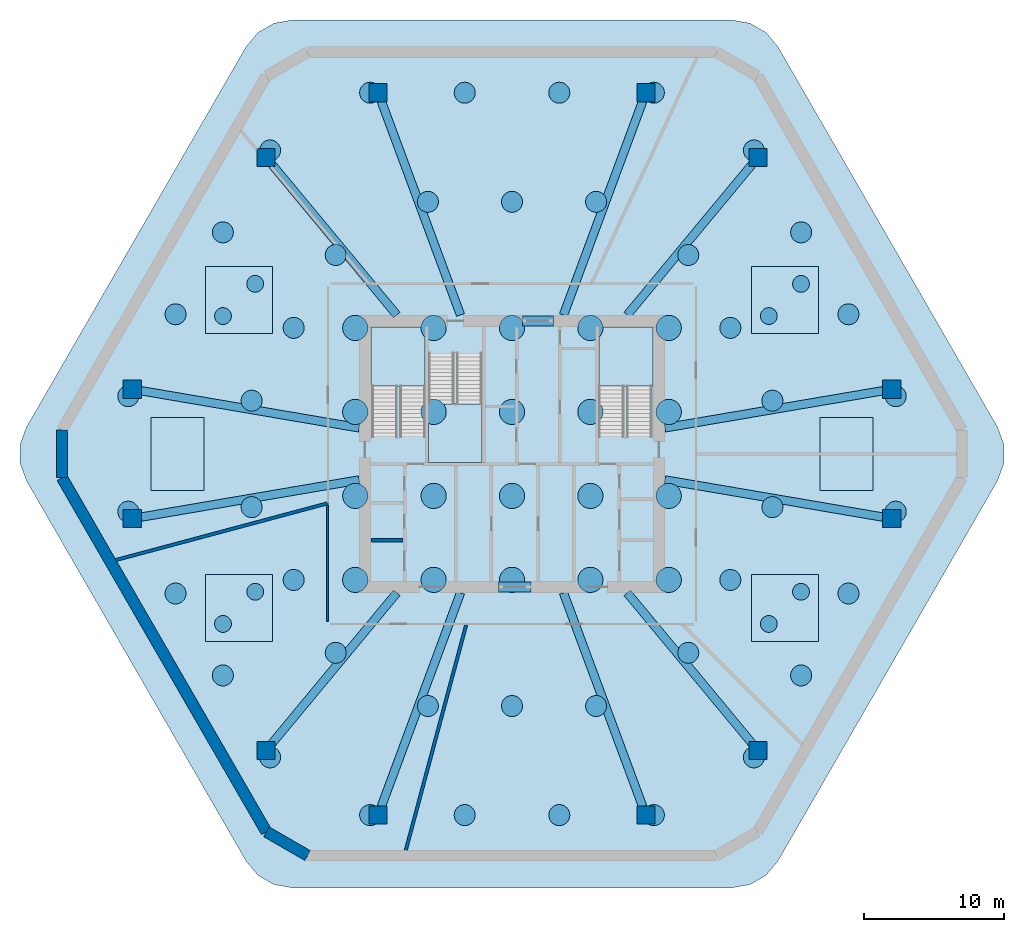
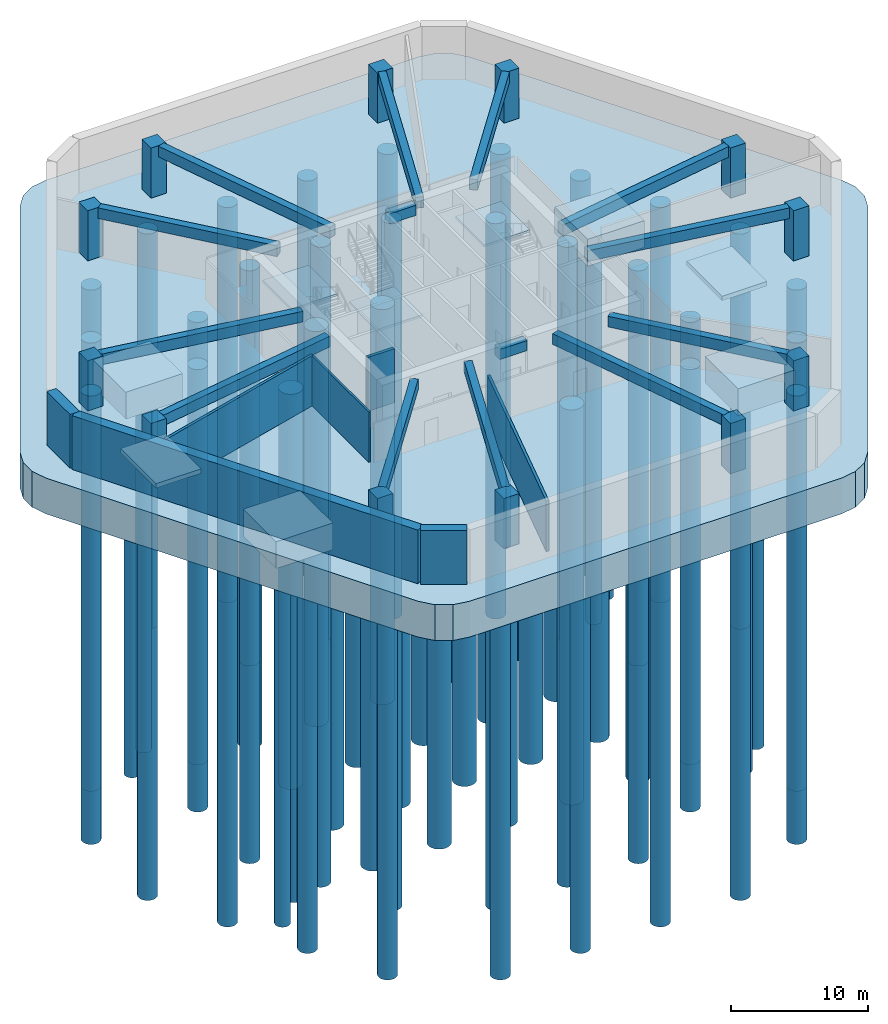
# One storey, part 1 of 5: 70 piles, 14 beams, 12 columns, 7 walls, 5 footings, 5 slabs, 3 elements without a shape of their own.
"""IFC4 building model written with IfcOpenShell, lengths in metres."""

from ifc_helpers import new_model, si_unit, direction, frame, frame_2d, origin, origin_2d, place, context, subcontext, project, spatial, polyline, rectangle, circle, outline, extrude, material, layer, layer_set, material_profile, profile_set, type_object, element, aggregate, save


model = new_model("IFC4")

# Units and contexts
model_context = context("Model", 3, precision=1e-05, world=origin(), true_north=direction((0.0, 1.0)))
body_context = subcontext(model_context, "Body", "Model", "MODEL_VIEW")
ifc_project = project(units=[si_unit("LENGTHUNIT", "METRE"), si_unit("AREAUNIT", "SQUARE_METRE"), si_unit("VOLUMEUNIT", "CUBIC_METRE"), si_unit("PLANEANGLEUNIT", "RADIAN"), si_unit("MASSUNIT", "GRAM", prefix="KILO")], contexts=[model_context])

# Site, building, storey
site_placement = place(None, origin())
site = spatial("IfcSite", under=ifc_project, at=site_placement, CompositionType="ELEMENT")
building_placement = place(site_placement, origin())
building = spatial("IfcBuilding", under=site, at=building_placement, Name="Zuhravey Tower", CompositionType="ELEMENT")
storey_placement = place(building_placement, frame((0.0, 0.0, -9.60009765625)))
storey = spatial("IfcBuildingStorey", under=building, at=storey_placement, Name="B02", CompositionType="ELEMENT", Elevation=-9.60009765625)

# Piles
ifc_material_1 = material(Name="Concrete C50/60", Category="concrete")
ifc_material_profile_1 = material_profile(ifc_material_1, circle(Radius=0.89990234375, at=origin_2d()), Name="PILE-D1800")
ifc_profile_set_1 = profile_set([ifc_material_profile_1], Name="Concrete C50/60")
pile_type_1 = type_object("IfcPileType", Name="Core Bored Pile D1800", PredefinedType="BORED", material=ifc_profile_set_1)
for number, where, z_axis, x_axis, name in (
    (1, (24.800048828125, 23.0, -3.099853515625), (0.0, 0.0, -1.0), (1.0, 0.0, 0.0), "B02 Core Bored Pile BP18-01"),
    (2, (24.800048828125, 29.0, -3.099853515625), (0.0, 0.0, -1.0), (1.0, 0.0, 0.0), "B02 Core Bored Pile BP18-02"),
    (3, (24.800048828125, 35.0, -3.099853515625), (0.0, 0.0, -1.0), (1.0, 0.0, 0.0), "B02 Core Bored Pile BP18-03"),
    (4, (24.800048828125, 41.0, -3.099853515625), (0.0, 0.0, -1.0), (1.0, 0.0, 0.0), "B02 Core Bored Pile BP18-04"),
    (5, (30.39990234375, 23.0, -3.099853515625), (0.0, 0.0, -1.0), (1.0, 0.0, 0.0), "B02 Core Bored Pile BP18-05"),
    (6, (30.39990234375, 29.0, -3.099853515625), (0.0, 0.0, -1.0), (1.0, 0.0, 0.0), "B02 Core Bored Pile BP18-06"),
    (7, (30.39990234375, 35.0, -3.099853515625), (0.0, 0.0, -1.0), (1.0, 0.0, 0.0), "B02 Core Bored Pile BP18-07"),
    (8, (30.39990234375, 41.0, -3.099853515625), (0.0, 0.0, -1.0), (1.0, 0.0, 0.0), "B02 Core Bored Pile BP18-08"),
    (9, (36.0, 23.0, -3.099853515625), (0.0, 0.0, -1.0), (1.0, 0.0, 0.0), "B02 Core Bored Pile BP18-09"),
    (10, (36.0, 29.0, -3.099853515625), (0.0, 0.0, -1.0), (1.0, 0.0, 0.0), "B02 Core Bored Pile BP18-10"),
    (11, (36.0, 35.0, -3.099853515625), (0.0, 0.0, -1.0), (1.0, 0.0, 0.0), "B02 Core Bored Pile BP18-11"),
    (12, (36.0, 41.0, -3.099853515625), (0.0, 0.0, -1.0), (1.0, 0.0, 0.0), "B02 Core Bored Pile BP18-12"),
    (13, (41.60009765625, 23.0, -3.099853515625), (0.0, 0.0, -1.0), (1.0, 0.0, 0.0), "B02 Core Bored Pile BP18-13"),
    (14, (41.60009765625, 29.0, -3.099853515625), (0.0, 0.0, -1.0), (1.0, 0.0, 0.0), "B02 Core Bored Pile BP18-14"),
    (15, (41.60009765625, 35.0, -3.099853515625), (0.0, 0.0, -1.0), (1.0, 0.0, 0.0), "B02 Core Bored Pile BP18-15"),
    (16, (41.60009765625, 41.0, -3.099853515625), (0.0, 0.0, -1.0), (1.0, 0.0, 0.0), "B02 Core Bored Pile BP18-16"),
    (17, (47.199951171875, 23.0, -3.099853515625), (0.0, 0.0, -1.0), (1.0, 0.0, 0.0), "B02 Core Bored Pile BP18-17"),
    (18, (47.199951171875, 29.0, -3.099853515625), (0.0, 0.0, -1.0), (1.0, 0.0, 0.0), "B02 Core Bored Pile BP18-18"),
    (19, (47.199951171875, 35.0, -3.099853515625), (0.0, 0.0, -1.0), (1.0, 0.0, 0.0), "B02 Core Bored Pile BP18-19"),
    (20, (47.199951171875, 41.0, -3.099853515625), (0.0, 0.0, -1.0), (1.0, 0.0, 0.0), "B02 Core Bored Pile BP18-20"),
):
    element("IfcPile", number, at=place(storey_placement, frame(where, z_axis=z_axis, x_axis=x_axis)), inside=storey, type_object=pile_type_1, Name=name, PredefinedType="BORED", context=body_context, shape_type="SweptSolid", body=[
        extrude(circle(Radius=0.89990234375, at=origin_2d()), origin(), (0.0, 0.0, 1.0), 35.300048828125),
    ])
ifc_material_profile_2 = material_profile(ifc_material_1, circle(Radius=0.75, at=origin_2d()), Name="PILE-D1500")
ifc_profile_set_2 = profile_set([ifc_material_profile_2], Name="Concrete C50/60")
pile_type_2 = type_object("IfcPileType", Name="Perimeter Bored Pile D1500", PredefinedType="BORED", material=ifc_profile_set_2)
for number, where, z_axis, x_axis, name in (
    (21, (54.604736328125, 35.80224609375, -3.099853515625), (0.0, 0.0, -1.0), (1.0, 0.0, 0.0), "B02 Perimeter Bored Pile BP15-01"),
    (22, (51.60009765625, 41.006591796875, -3.099853515625), (0.0, 0.0, -1.0), (1.0, 0.0, 0.0), "B02 Perimeter Bored Pile BP15-02"),
    (23, (48.59521484375, 46.211181640625, -3.099853515625), (0.0, 0.0, -1.0), (1.0, 0.0, 0.0), "B02 Perimeter Bored Pile BP15-03"),
    (24, (42.009521484375, 50.01318359375, -3.099853515625), (0.0, 0.0, -1.0), (1.0, 0.0, 0.0), "B02 Perimeter Bored Pile BP15-04"),
    (25, (36.0, 50.01318359375, -3.099853515625), (0.0, 0.0, -1.0), (1.0, 0.0, 0.0), "B02 Perimeter Bored Pile BP15-05"),
    (26, (29.990478515625, 50.01318359375, -3.099853515625), (0.0, 0.0, -1.0), (1.0, 0.0, 0.0), "B02 Perimeter Bored Pile BP15-06"),
    (27, (23.40478515625, 46.211181640625, -3.099853515625), (0.0, 0.0, -1.0), (1.0, 0.0, 0.0), "B02 Perimeter Bored Pile BP15-07"),
    (28, (20.39990234375, 41.006591796875, -3.099853515625), (0.0, 0.0, -1.0), (1.0, 0.0, 0.0), "B02 Perimeter Bored Pile BP15-08"),
    (29, (17.395263671875, 35.80224609375, -3.099853515625), (0.0, 0.0, -1.0), (1.0, 0.0, 0.0), "B02 Perimeter Bored Pile BP15-09"),
    (30, (17.395263671875, 28.19775390625, -3.099853515625), (0.0, 0.0, -1.0), (1.0, 0.0, 0.0), "B02 Perimeter Bored Pile BP15-10"),
    (31, (20.39990234375, 22.993408203125, -3.099853515625), (0.0, 0.0, -1.0), (1.0, 0.0, 0.0), "B02 Perimeter Bored Pile BP15-11"),
    (32, (23.40478515625, 17.788818359375, -3.099853515625), (0.0, 0.0, -1.0), (1.0, 0.0, 0.0), "B02 Perimeter Bored Pile BP15-12"),
    (33, (29.990478515625, 13.98681640625, -3.099853515625), (0.0, 0.0, -1.0), (1.0, 0.0, 0.0), "B02 Perimeter Bored Pile BP15-13"),
    (34, (36.0, 13.98681640625, -3.099853515625), (0.0, 0.0, -1.0), (1.0, 0.0, 0.0), "B02 Perimeter Bored Pile BP15-14"),
    (35, (42.009521484375, 13.98681640625, -3.099853515625), (0.0, 0.0, -1.0), (1.0, 0.0, 0.0), "B02 Perimeter Bored Pile BP15-15"),
    (36, (48.59521484375, 17.788818359375, -3.099853515625), (0.0, 0.0, -1.0), (1.0, 0.0, 0.0), "B02 Perimeter Bored Pile BP15-16"),
    (37, (51.60009765625, 22.993408203125, -3.099853515625), (0.0, 0.0, -1.0), (1.0, 0.0, 0.0), "B02 Perimeter Bored Pile BP15-17"),
    (38, (54.604736328125, 28.19775390625, -3.099853515625), (0.0, 0.0, -1.0), (1.0, 0.0, 0.0), "B02 Perimeter Bored Pile BP15-18"),
    (39, (63.41796875, 36.1259765625, -3.099853515625), (0.0, 0.0, -1.0), (1.0, 0.0, 0.0), "B02 Perimeter Bored Pile BP15-19"),
    (40, (60.039306640625, 41.977783203125, -3.099853515625), (0.0, 0.0, -1.0), (1.0, 0.0, 0.0), "B02 Perimeter Bored Pile BP15-20"),
    (41, (56.66064453125, 47.829833984375, -3.099853515625), (0.0, 0.0, -1.0), (1.0, 0.0, 0.0), "B02 Perimeter Bored Pile BP15-21"),
    (42, (53.281982421875, 53.681640625, -3.099853515625), (0.0, 0.0, -1.0), (1.0, 0.0, 0.0), "B02 Perimeter Bored Pile BP15-22"),
    (43, (46.1357421875, 57.8076171875, -3.099853515625), (0.0, 0.0, -1.0), (1.0, 0.0, 0.0), "B02 Perimeter Bored Pile BP15-23"),
    (44, (39.378662109375, 57.8076171875, -3.099853515625), (0.0, 0.0, -1.0), (1.0, 0.0, 0.0), "B02 Perimeter Bored Pile BP15-24"),
    (45, (32.621337890625, 57.8076171875, -3.099853515625), (0.0, 0.0, -1.0), (1.0, 0.0, 0.0), "B02 Perimeter Bored Pile BP15-25"),
    (46, (25.8642578125, 57.8076171875, -3.099853515625), (0.0, 0.0, -1.0), (1.0, 0.0, 0.0), "B02 Perimeter Bored Pile BP15-26"),
    (47, (18.718017578125, 53.681640625, -3.099853515625), (0.0, 0.0, -1.0), (1.0, 0.0, 0.0), "B02 Perimeter Bored Pile BP15-27"),
    (48, (15.33935546875, 47.829833984375, -3.099853515625), (0.0, 0.0, -1.0), (1.0, 0.0, 0.0), "B02 Perimeter Bored Pile BP15-28"),
    (49, (11.960693359375, 41.977783203125, -3.099853515625), (0.0, 0.0, -1.0), (1.0, 0.0, 0.0), "B02 Perimeter Bored Pile BP15-29"),
    (50, (8.58203125, 36.1259765625, -3.099853515625), (0.0, 0.0, -1.0), (1.0, 0.0, 0.0), "B02 Perimeter Bored Pile BP15-30"),
    (51, (8.58203125, 27.8740234375, -3.099853515625), (0.0, 0.0, -1.0), (1.0, 0.0, 0.0), "B02 Perimeter Bored Pile BP15-31"),
    (52, (11.960693359375, 22.022216796875, -3.099853515625), (0.0, 0.0, -1.0), (1.0, 0.0, 0.0), "B02 Perimeter Bored Pile BP15-32"),
    (53, (15.33935546875, 16.170166015625, -3.099853515625), (0.0, 0.0, -1.0), (1.0, 0.0, 0.0), "B02 Perimeter Bored Pile BP15-33"),
    (54, (18.718017578125, 10.318359375, -3.099853515625), (0.0, 0.0, -1.0), (1.0, 0.0, 0.0), "B02 Perimeter Bored Pile BP15-34"),
    (55, (25.8642578125, 6.1923828125, -3.099853515625), (0.0, 0.0, -1.0), (1.0, 0.0, 0.0), "B02 Perimeter Bored Pile BP15-35"),
    (56, (32.621337890625, 6.1923828125, -3.099853515625), (0.0, 0.0, -1.0), (1.0, 0.0, 0.0), "B02 Perimeter Bored Pile BP15-36"),
    (57, (39.378662109375, 6.1923828125, -3.099853515625), (0.0, 0.0, -1.0), (1.0, 0.0, 0.0), "B02 Perimeter Bored Pile BP15-37"),
    (58, (46.1357421875, 6.1923828125, -3.099853515625), (0.0, 0.0, -1.0), (1.0, 0.0, 0.0), "B02 Perimeter Bored Pile BP15-38"),
    (59, (53.281982421875, 10.318359375, -3.099853515625), (0.0, 0.0, -1.0), (1.0, 0.0, 0.0), "B02 Perimeter Bored Pile BP15-39"),
    (60, (56.66064453125, 16.17041015625, -3.099853515625), (0.0, 0.0, -1.0), (1.0, 0.0, 0.0), "B02 Perimeter Bored Pile BP15-40"),
    (61, (60.039306640625, 22.022216796875, -3.099853515625), (0.0, 0.0, -1.0), (1.0, 0.0, 0.0), "B02 Perimeter Bored Pile BP15-41"),
    (62, (63.41796875, 27.8740234375, -3.099853515625), (0.0, 0.0, -1.0), (1.0, 0.0, 0.0), "B02 Perimeter Bored Pile BP15-42"),
):
    element("IfcPile", number, at=place(storey_placement, frame(where, z_axis=z_axis, x_axis=x_axis)), inside=storey, type_object=pile_type_2, Name=name, PredefinedType="BORED", context=body_context, shape_type="SweptSolid", body=[
        extrude(circle(Radius=0.75, at=origin_2d()), origin(), (0.0, 0.0, 1.0), 35.300048828125),
    ])

# Footings
footing_type_1 = type_object("IfcFootingType", Name="Perimeter Stilt Cap 4800x4800", PredefinedType="PILE_CAP", material=ifc_material_1)
for number, where, z_axis, x_axis, name in (
    (63, (16.5, 21.0, -5.599853515625), (0.0, 0.0, 1.0), (1.0, 0.0, 0.0), "B02 Deep Drop Pile Cap PCAP1-SW"),
    (64, (55.5, 21.0, -5.599853515625), (0.0, 0.0, 1.0), (1.0, 0.0, 0.0), "B02 Deep Drop Pile Cap PCAP1-SE"),
    (65, (16.5, 43.0, -5.599853515625), (0.0, 0.0, 1.0), (1.0, 0.0, 0.0), "B02 Deep Drop Pile Cap PCAP1-NW"),
    (66, (55.5, 43.0, -5.599853515625), (0.0, 0.0, 1.0), (1.0, 0.0, 0.0), "B02 Deep Drop Pile Cap PCAP1-NE"),
):
    element("IfcFooting", number, at=place(storey_placement, frame(where, z_axis=z_axis, x_axis=x_axis)), inside=storey, type_object=footing_type_1, Name=name, PredefinedType="PILE_CAP", context=body_context, shape_type="SweptSolid", body=[
        extrude(rectangle(XDim=4.800048828125, YDim=4.800048828125, at=origin_2d()), origin(), (0.0, 0.0, 1.0), 2.39990234375),
    ])

# Piles
ifc_material_profile_3 = material_profile(ifc_material_1, circle(Radius=0.60009765625, at=origin_2d()), Name="PILE-D1200")
ifc_profile_set_3 = profile_set([ifc_material_profile_3], Name="Concrete C50/60")
pile_type_3 = type_object("IfcPileType", Name="Podium Bored Pile D1200", PredefinedType="BORED", material=ifc_profile_set_3)
for number, where, z_axis, x_axis, name in (
    (67, (15.35009765625, 19.85009765625, -5.5), (0.0, 0.0, -1.0), (1.0, 0.0, 0.0), "B02 Substructure Bored Pile BP12-01"),
    (68, (17.64990234375, 22.14990234375, -5.5), (0.0, 0.0, -1.0), (1.0, 0.0, 0.0), "B02 Substructure Bored Pile BP12-02"),
    (69, (54.35009765625, 19.85009765625, -5.5), (0.0, 0.0, -1.0), (1.0, 0.0, 0.0), "B02 Substructure Bored Pile BP12-03"),
    (70, (56.64990234375, 22.14990234375, -5.5), (0.0, 0.0, -1.0), (1.0, 0.0, 0.0), "B02 Substructure Bored Pile BP12-04"),
    (71, (15.35009765625, 41.85009765625, -5.5), (0.0, 0.0, -1.0), (1.0, 0.0, 0.0), "B02 Substructure Bored Pile BP12-05"),
    (72, (17.64990234375, 44.14990234375, -5.5), (0.0, 0.0, -1.0), (1.0, 0.0, 0.0), "B02 Substructure Bored Pile BP12-06"),
    (73, (54.35009765625, 41.85009765625, -5.5), (0.0, 0.0, -1.0), (1.0, 0.0, 0.0), "B02 Substructure Bored Pile BP12-07"),
    (74, (56.64990234375, 44.14990234375, -5.5), (0.0, 0.0, -1.0), (1.0, 0.0, 0.0), "B02 Substructure Bored Pile BP12-08"),
):
    element("IfcPile", number, at=place(storey_placement, frame(where, z_axis=z_axis, x_axis=x_axis)), inside=storey, type_object=pile_type_3, Name=name, PredefinedType="BORED", context=body_context, shape_type="SweptSolid", body=[
        extrude(circle(Radius=0.60009765625, at=origin_2d()), origin(), (0.0, 0.0, 1.0), 32.89990234375),
    ])

# Footing
footing_type_2 = type_object("IfcFootingType", Name="Tower Piled Raft 3200", PredefinedType="PILE_CAP", material=ifc_material_1)
footing_placement = place(storey_placement, frame((0.0, 0.0, -3.199951171875)))
element("IfcFooting", 75, at=footing_placement, inside=storey, type_object=footing_type_2, Name="B02 Tower Piled Raft PRF1", PredefinedType="PILE_CAP", context=body_context, shape_type="SweptSolid", body=[
    extrude(outline(polyline([(70.702880859375, 30.10009765625), (71.154296875, 31.340087890625), (71.154296875, 32.659912109375), (70.702880859375, 33.89990234375), (54.9970703125, 61.103759765625), (54.148681640625, 62.11474609375), (53.005615234375, 62.7744140625), (51.7060546875, 63.003662109375), (20.2939453125, 63.003662109375), (18.994384765625, 62.7744140625), (17.851318359375, 62.11474609375), (17.0029296875, 61.103759765625), (1.297119140625, 33.89990234375), (0.845703125, 32.659912109375), (0.845703125, 31.340087890625), (1.297119140625, 30.10009765625), (17.0029296875, 2.896240234375), (17.851318359375, 1.88525390625), (18.994384765625, 1.2255859375), (20.2939453125, 0.996337890625), (51.7060546875, 0.996337890625), (53.005615234375, 1.2255859375), (54.148681640625, 1.88525390625), (54.9970703125, 2.896240234375), (70.702880859375, 30.10009765625)])), origin(), (0.0, 0.0, 1.0), 3.199951171875),
])

# Columns
ifc_material_2 = material(Name="Concrete C60/75", Category="concrete")
ifc_material_profile_4 = material_profile(ifc_material_2, rectangle(XDim=1.300048828125, YDim=1.300048828125, at=origin_2d()), Name="RC-1300x1300")
ifc_profile_set_4 = profile_set([ifc_material_profile_4], Name="Concrete C60/75")
column_type = type_object("IfcColumnType", Name="Basement Column 1300x1300", PredefinedType="COLUMN", material=ifc_profile_set_4)
for number, where, z_axis, x_axis, name in (
    (76, (63.132080078125, 36.62109375, 0.0), (0.0, 0.0, 1.0), (1.0, 0.0, 0.0), "B02 Basement Column BC1-01"),
    (77, (53.568115234375, 53.1865234375, 0.0), (0.0, 0.0, 1.0), (1.0, 0.0, 0.0), "B02 Basement Column BC1-02"),
    (78, (45.56396484375, 57.8076171875, 0.0), (0.0, 0.0, 1.0), (1.0, 0.0, 0.0), "B02 Basement Column BC1-03"),
    (79, (26.43603515625, 57.8076171875, 0.0), (0.0, 0.0, 1.0), (1.0, 0.0, 0.0), "B02 Basement Column BC1-04"),
    (80, (18.431884765625, 53.1865234375, 0.0), (0.0, 0.0, 1.0), (1.0, 0.0, 0.0), "B02 Basement Column BC1-05"),
    (81, (8.867919921875, 36.62109375, 0.0), (0.0, 0.0, 1.0), (1.0, 0.0, 0.0), "B02 Basement Column BC1-06"),
    (82, (8.867919921875, 27.37890625, 0.0), (0.0, 0.0, 1.0), (1.0, 0.0, 0.0), "B02 Basement Column BC1-07"),
    (83, (18.431884765625, 10.8134765625, 0.0), (0.0, 0.0, 1.0), (1.0, 0.0, 0.0), "B02 Basement Column BC1-08"),
    (84, (26.43603515625, 6.1923828125, 0.0), (0.0, 0.0, 1.0), (1.0, 0.0, 0.0), "B02 Basement Column BC1-09"),
    (85, (45.56396484375, 6.1923828125, 0.0), (0.0, 0.0, 1.0), (1.0, 0.0, 0.0), "B02 Basement Column BC1-10"),
    (86, (53.568115234375, 10.8134765625, 0.0), (0.0, 0.0, 1.0), (1.0, 0.0, 0.0), "B02 Basement Column BC1-11"),
    (87, (63.132080078125, 27.37890625, 0.0), (0.0, 0.0, 1.0), (1.0, 0.0, 0.0), "B02 Basement Column BC1-12"),
):
    element("IfcColumn", number, at=place(storey_placement, frame(where, z_axis=z_axis, x_axis=x_axis)), inside=storey, type_object=column_type, Name=name, PredefinedType="COLUMN", context=body_context, shape_type="SweptSolid", body=[
        extrude(rectangle(XDim=1.300048828125, YDim=1.300048828125, at=origin_2d()), origin(), (0.0, 0.0, 1.0), 4.47998046875),
    ])

# Beams
ifc_material_profile_5 = material_profile(ifc_material_1, rectangle(XDim=0.60009765625, YDim=0.949951171875, at=origin_2d()), Name="RC-600x950")
ifc_profile_set_5 = profile_set([ifc_material_profile_5], Name="Concrete C50/60")
beam_type_1 = type_object("IfcBeamType", Name="Basement RC Beam 600x950", PredefinedType="BEAM", material=ifc_profile_set_5)
beam_1_placement = place(storey_placement, frame((46.927978515625, 33.861328125, 4.005126953125), z_axis=(0.985803633134, 0.16790234334, 0.0), x_axis=(-0.16790234334, 0.985803633134, 0.0)))
element("IfcBeam", 88, at=beam_1_placement, inside=storey, type_object=beam_type_1, Name="B02 BB1 BM-B02-BB1-01", PredefinedType="BEAM", context=body_context, shape_type="SweptSolid", body=[
    extrude(rectangle(XDim=0.60009765625, YDim=0.949951171875, at=origin_2d()), origin(), (0.0, 0.0, 1.0), 15.782470703125),
])
beam_2_placement = place(storey_placement, frame((44.232421875, 41.927978515625, 4.005126953125), z_axis=(0.63830202718, 0.769786023579, 0.0), x_axis=(-0.769786023579, 0.63830202718, 0.0)))
element("IfcBeam", 89, at=beam_2_placement, inside=storey, type_object=beam_type_1, Name="B02 BB1 BM-B02-BB1-02", PredefinedType="BEAM", context=body_context, shape_type="SweptSolid", body=[
    extrude(rectangle(XDim=0.60009765625, YDim=0.949951171875, at=origin_2d()), origin(), (0.0, 0.0, 1.0), 13.970703125),
])
for number, where, z_axis, x_axis, name in (
    (90, (39.67919921875, 41.927978515625, 4.005126953125), (0.347497019727, 0.937681087194, 0.0), (-0.937681087194, 0.347497019727, 0.0), "B02 BB1 BM-B02-BB1-03"),
    (91, (32.32080078125, 41.927978515625, 4.005126953125), (-0.347497019727, 0.937681087194, 0.0), (-0.937681087194, -0.347497019727, 0.0), "B02 BB1 BM-B02-BB1-04"),
):
    element("IfcBeam", number, at=place(storey_placement, frame(where, z_axis=z_axis, x_axis=x_axis)), inside=storey, type_object=beam_type_1, Name=name, PredefinedType="BEAM", context=body_context, shape_type="SweptSolid", body=[
        extrude(rectangle(XDim=0.60009765625, YDim=0.949951171875, at=origin_2d()), origin(), (0.0, 0.0, 1.0), 16.280029296875),
    ])
beam_3_placement = place(storey_placement, frame((27.767578125, 41.927978515625, 4.005126953125), z_axis=(-0.63830202718, 0.769786023579, 0.0), x_axis=(-0.769786023579, -0.63830202718, 0.0)))
element("IfcBeam", 92, at=beam_3_placement, inside=storey, type_object=beam_type_1, Name="B02 BB1 BM-B02-BB1-05", PredefinedType="BEAM", context=body_context, shape_type="SweptSolid", body=[
    extrude(rectangle(XDim=0.60009765625, YDim=0.949951171875, at=origin_2d()), origin(), (0.0, 0.0, 1.0), 13.970703125),
])
for number, where, z_axis, x_axis, name in (
    (93, (25.072021484375, 33.861328125, 4.005126953125), (-0.985803633134, 0.16790234334, 0.0), (-0.16790234334, -0.985803633134, 0.0), "B02 BB1 BM-B02-BB1-06"),
    (94, (25.072021484375, 30.138671875, 4.005126953125), (-0.985803633134, -0.16790234334, 0.0), (0.16790234334, -0.985803633134, 0.0), "B02 BB1 BM-B02-BB1-07"),
):
    element("IfcBeam", number, at=place(storey_placement, frame(where, z_axis=z_axis, x_axis=x_axis)), inside=storey, type_object=beam_type_1, Name=name, PredefinedType="BEAM", context=body_context, shape_type="SweptSolid", body=[
        extrude(rectangle(XDim=0.60009765625, YDim=0.949951171875, at=origin_2d()), origin(), (0.0, 0.0, 1.0), 15.782470703125),
    ])
beam_4_placement = place(storey_placement, frame((27.767578125, 22.072021484375, 4.005126953125), z_axis=(-0.63830202718, -0.769786023579, 0.0), x_axis=(0.769786023579, -0.63830202718, 0.0)))
element("IfcBeam", 95, at=beam_4_placement, inside=storey, type_object=beam_type_1, Name="B02 BB1 BM-B02-BB1-08", PredefinedType="BEAM", context=body_context, shape_type="SweptSolid", body=[
    extrude(rectangle(XDim=0.60009765625, YDim=0.949951171875, at=origin_2d()), origin(), (0.0, 0.0, 1.0), 13.970703125),
])
for number, where, z_axis, x_axis, name in (
    (96, (32.32080078125, 22.072021484375, 4.005126953125), (-0.347497019727, -0.937681087194, 0.0), (0.937681087194, -0.347497019727, 0.0), "B02 BB1 BM-B02-BB1-09"),
    (97, (39.67919921875, 22.072021484375, 4.005126953125), (0.347497019727, -0.937681087194, 0.0), (0.937681087194, 0.347497019727, 0.0), "B02 BB1 BM-B02-BB1-10"),
):
    element("IfcBeam", number, at=place(storey_placement, frame(where, z_axis=z_axis, x_axis=x_axis)), inside=storey, type_object=beam_type_1, Name=name, PredefinedType="BEAM", context=body_context, shape_type="SweptSolid", body=[
        extrude(rectangle(XDim=0.60009765625, YDim=0.949951171875, at=origin_2d()), origin(), (0.0, 0.0, 1.0), 16.280029296875),
    ])
beam_5_placement = place(storey_placement, frame((44.232421875, 22.072021484375, 4.005126953125), z_axis=(0.63830202718, -0.769786023579, 0.0), x_axis=(0.769786023579, 0.63830202718, 0.0)))
element("IfcBeam", 98, at=beam_5_placement, inside=storey, type_object=beam_type_1, Name="B02 BB1 BM-B02-BB1-11", PredefinedType="BEAM", context=body_context, shape_type="SweptSolid", body=[
    extrude(rectangle(XDim=0.60009765625, YDim=0.949951171875, at=origin_2d()), origin(), (0.0, 0.0, 1.0), 13.970703125),
])
beam_6_placement = place(storey_placement, frame((46.927978515625, 30.138671875, 4.005126953125), z_axis=(0.985803633134, -0.16790234334, 0.0), x_axis=(0.16790234334, 0.985803633134, 0.0)))
element("IfcBeam", 99, at=beam_6_placement, inside=storey, type_object=beam_type_1, Name="B02 BB1 BM-B02-BB1-12", PredefinedType="BEAM", context=body_context, shape_type="SweptSolid", body=[
    extrude(rectangle(XDim=0.60009765625, YDim=0.949951171875, at=origin_2d()), origin(), (0.0, 0.0, 1.0), 15.782470703125),
])
ifc_material_profile_6 = material_profile(ifc_material_2, rectangle(XDim=0.699951171875, YDim=0.89990234375, at=origin_2d()), Name="RC-700x900")
ifc_profile_set_6 = profile_set([ifc_material_profile_6], Name="Concrete C60/75")
beam_type_2 = type_object("IfcBeamType", Name="Core Coupling Beam RC700x900", PredefinedType="LINTEL", material=ifc_profile_set_6)
beam_7_placement = place(storey_placement, frame((35.052001953125, 22.5, 4.030029296875), z_axis=(1.0, 0.0, 0.0), x_axis=(0.0, 1.0, 0.0)))
element("IfcBeam", 100, at=beam_7_placement, inside=storey, type_object=beam_type_2, Name="B02 CB1 BM-B02-CB-S", PredefinedType="LINTEL", context=body_context, shape_type="SweptSolid", body=[
    extrude(rectangle(XDim=0.699951171875, YDim=0.89990234375, at=origin_2d()), origin(), (0.0, 0.0, 1.0), 2.2958984375),
])
beam_8_placement = place(storey_placement, frame((36.751953125, 41.5, 4.030029296875), z_axis=(1.0, 0.0, 0.0), x_axis=(0.0, 1.0, 0.0)))
element("IfcBeam", 101, at=beam_8_placement, inside=storey, type_object=beam_type_2, Name="B02 CB1 BM-B02-CB-N", PredefinedType="LINTEL", context=body_context, shape_type="SweptSolid", body=[
    extrude(rectangle(XDim=0.699951171875, YDim=0.89990234375, at=origin_2d()), origin(), (0.0, 0.0, 1.0), 2.196044921875),
])

# Slabs
ifc_layer_1 = layer(ifc_material_1, 0.39990234375)
ifc_layer_set_1 = layer_set([ifc_layer_1], Name="Concrete C50/60")
slab_type_1 = type_object("IfcSlabType", Name="Basement Base Slab 400", PredefinedType="BASESLAB", material=ifc_layer_set_1)
slab_1_placement = place(storey_placement, frame((0.0, 0.0, -3.599853515625)))
element("IfcSlab", 102, at=slab_1_placement, inside=storey, type_object=slab_type_1, Name="B02 Sump Sub-Slab BS40-WEST", PredefinedType="BASESLAB", context=body_context, shape_type="SweptSolid", body=[
    extrude(outline(polyline([(10.199951171875, 29.39990234375), (14.0, 29.39990234375), (14.0, 34.60009765625), (10.199951171875, 34.60009765625), (10.199951171875, 29.39990234375)])), origin(), (0.0, 0.0, 1.0), 0.39990234375),
])
slab_2_placement = place(storey_placement, frame((0.0, 0.0, -3.599853515625)))
element("IfcSlab", 103, at=slab_2_placement, inside=storey, type_object=slab_type_1, Name="B02 Sump Sub-Slab BS40-EAST", PredefinedType="BASESLAB", context=body_context, shape_type="SweptSolid", body=[
    extrude(outline(polyline([(58.0, 29.39990234375), (61.800048828125, 29.39990234375), (61.800048828125, 34.60009765625), (58.0, 34.60009765625), (58.0, 29.39990234375)])), origin(), (0.0, 0.0, 1.0), 0.39990234375),
])

# Stair, slab
ifc_material_3 = material(Name="Concrete C40/50", Category="concrete")
stair_type = type_object("IfcStairType", Name="Basement Stair Assembly 4800", PredefinedType="HALF_TURN_STAIR", material=ifc_material_3)
stair_1_placement = place(storey_placement, origin())
stair_1 = element("IfcStair", 104, at=stair_1_placement, inside=storey, type_object=stair_type, Name="B02 Core Exit Stair ST1", PredefinedType="HALF_TURN_STAIR")
ifc_layer_2 = layer(ifc_material_3, 0.199951171875)
ifc_layer_set_2 = layer_set([ifc_layer_2], Name="Concrete C40/50")
slab_type_2 = type_object("IfcSlabType", Name="Stair Landing Slab 200", PredefinedType="LANDING", material=ifc_layer_set_2)
slab_3_placement = place(storey_placement, frame((0.0, 0.0, 2.2001953125)))
slab_3 = element("IfcSlab", 105, at=slab_3_placement, type_object=slab_type_2, Name="ST1 landing 1", PredefinedType="LANDING", context=body_context, shape_type="SweptSolid", body=[
    extrude(outline(polyline([(29.800048828125, 36.840087890625), (29.800048828125, 41.072998046875), (25.927001953125, 41.072998046875), (25.927001953125, 36.840087890625), (29.800048828125, 36.840087890625)])), origin(), (0.0, 0.0, 1.0), 0.199951171875),
])
aggregate(stair_1, [slab_3])

stair_2_placement = place(storey_placement, origin())
stair_2 = element("IfcStair", 106, at=stair_2_placement, inside=storey, type_object=stair_type, Name="B02 Core Exit Stair ST2", PredefinedType="HALF_TURN_STAIR")
slab_4_placement = place(storey_placement, frame((0.0, 0.0, 2.2001953125)))
slab_4 = element("IfcSlab", 107, at=slab_4_placement, type_object=slab_type_2, Name="ST2 landing 1", PredefinedType="LANDING", context=body_context, shape_type="SweptSolid", body=[
    extrude(outline(polyline([(46.072998046875, 36.840087890625), (46.072998046875, 41.072998046875), (42.199951171875, 41.072998046875), (42.199951171875, 36.840087890625), (46.072998046875, 36.840087890625)])), origin(), (0.0, 0.0, 1.0), 0.199951171875),
])
aggregate(stair_2, [slab_4])

stair_3_placement = place(storey_placement, origin())
stair_3 = element("IfcStair", 108, at=stair_3_placement, inside=storey, type_object=stair_type, Name="B02 Core Exit Stair ST3", PredefinedType="HALF_TURN_STAIR")
slab_5_placement = place(storey_placement, frame((0.0, 0.0, 2.2001953125)))
slab_5 = element("IfcSlab", 109, at=slab_5_placement, type_object=slab_type_2, Name="ST3 landing 1", PredefinedType="LANDING", context=body_context, shape_type="SweptSolid", body=[
    extrude(outline(polyline([(30.050048828125, 35.56005859375), (30.050048828125, 31.39990234375), (33.85009765625, 31.39990234375), (33.85009765625, 35.56005859375), (30.050048828125, 35.56005859375)])), origin(), (0.0, 0.0, 1.0), 0.199951171875),
])
aggregate(stair_3, [slab_5])

# Walls
ifc_layer_3 = layer(ifc_material_1, 0.800048828125)
ifc_layer_set_3 = layer_set([ifc_layer_3], Name="Concrete C50/60")
wall_type_1 = type_object("IfcWallType", Name="Basement Retaining Wall 800", PredefinedType="USERDEFINED", material=ifc_layer_set_3)
wall_1_placement = place(storey_placement, frame((3.843505859375, 33.699951171875, 0.0), z_axis=(0.0, 0.0, 1.0), x_axis=(0.0, -1.0, 0.0)))
element("IfcWall", 110, at=wall_1_placement, inside=storey, type_object=wall_type_1, Name="B02 Retaining Wall RW80-07", ObjectType="RETAININGWALL", PredefinedType="USERDEFINED", context=body_context, shape_type="SweptSolid", body=[
    extrude(rectangle(XDim=3.39990234375, YDim=0.800048828125, at=frame_2d((1.699951171875, 0.0))), origin(), (0.0, 0.0, 1.0), 4.800048828125),
])
wall_2_placement = place(storey_placement, frame((3.843505859375, 30.300048828125, 0.0), z_axis=(0.0, 0.0, 1.0), x_axis=(0.499995192696, -0.866028179265, 0.0)))
element("IfcWall", 111, at=wall_2_placement, inside=storey, type_object=wall_type_1, Name="B02 Retaining Wall RW80-08", ObjectType="RETAININGWALL", PredefinedType="USERDEFINED", context=body_context, shape_type="SweptSolid", body=[
    extrude(rectangle(XDim=29.212158203125, YDim=0.800048828125, at=frame_2d((14.60595703125, 0.0))), origin(), (0.0, 0.0, 1.0), 4.800048828125),
])
wall_3_placement = place(storey_placement, frame((18.449462890625, 5.00146484375, 0.0), z_axis=(0.0, 0.0, 1.0), x_axis=(0.866020560687, -0.500008388397, 0.0)))
element("IfcWall", 112, at=wall_3_placement, inside=storey, type_object=wall_type_1, Name="B02 Retaining Wall RW80-09", ObjectType="RETAININGWALL", PredefinedType="USERDEFINED", context=body_context, shape_type="SweptSolid", body=[
    extrude(rectangle(XDim=3.39990234375, YDim=0.800048828125, at=frame_2d((1.699951171875, 0.0))), origin(), (0.0, 0.0, 1.0), 4.800048828125),
])
ifc_material_4 = material(Name="Gypsum fire-rated stud partition")
ifc_layer_4 = layer(ifc_material_4, 0.159912109375)
ifc_layer_set_4 = layer_set([ifc_layer_4], Name="Gypsum fire-rated stud partition")
wall_type_2 = type_object("IfcWallType", Name="Corridor Fire Partition 160", PredefinedType="PARTITIONING", material=ifc_layer_set_4)
wall_4_placement = place(storey_placement, frame((22.824951171875, 28.34765625, 0.0), z_axis=(0.0, 0.0, 1.0), x_axis=(0.0, -1.0, 0.0)))
element("IfcWall", 113, at=wall_4_placement, inside=storey, type_object=wall_type_2, Name="B02 IW16 Partition 036", PredefinedType="PARTITIONING", context=body_context, shape_type="SweptSolid", body=[
    extrude(rectangle(XDim=8.32275390625, YDim=0.159912109375, at=frame_2d((4.161376953125, 0.0))), origin(), (0.0, 0.0, 1.0), 4.47998046875),
])
ifc_layer_5 = layer(ifc_material_1, 0.25)
ifc_layer_set_5 = layer_set([ifc_layer_5], Name="Concrete C50/60")
wall_type_3 = type_object("IfcWallType", Name="Firefighting Shaft & Stair Wall 250", PredefinedType="SOLIDWALL", material=ifc_layer_set_5)
wall_5_placement = place(storey_placement, frame((25.949951171875, 25.824951171875, 0.0), z_axis=(0.0, 0.0, 1.0), x_axis=(1.0, 0.0, 0.0)))
element("IfcWall", 114, at=wall_5_placement, inside=storey, type_object=wall_type_3, Name="B02 FW25 Shaft Wall 009", PredefinedType="SOLIDWALL", context=body_context, shape_type="SweptSolid", body=[
    extrude(rectangle(XDim=2.25, YDim=0.25, at=frame_2d((1.125, 0.0))), origin(), (0.0, 0.0, 1.0), 4.800048828125),
])
ifc_material_5 = material(Name="Gypsum acoustic stud assembly")
ifc_layer_6 = layer(ifc_material_5, 0.219970703125)
ifc_layer_set_6 = layer_set([ifc_layer_6], Name="Gypsum acoustic stud assembly")
wall_type_4 = type_object("IfcWallType", Name="School Acoustic Compartment Wall 220", PredefinedType="PARTITIONING", material=ifc_layer_set_6)
wall_6_placement = place(storey_placement, frame((22.8447265625, 28.47509765625, 0.0), z_axis=(0.0, 0.0, 1.0), x_axis=(-0.965926045545, -0.258818226826, 0.0)))
element("IfcWall", 115, at=wall_6_placement, inside=storey, type_object=wall_type_4, Name="B02 IW22 Partition 031", PredefinedType="PARTITIONING", context=body_context, shape_type="SweptSolid", body=[
    extrude(rectangle(XDim=15.6982421875, YDim=0.219970703125, at=frame_2d((7.84912109375, 0.0))), origin(), (0.0, 0.0, 1.0), 4.47998046875),
])
wall_7_placement = place(storey_placement, frame((32.719482421875, 19.757080078125, 0.0), z_axis=(0.0, 0.0, 1.0), x_axis=(-0.25881380955, -0.965927229136, 0.0)))
element("IfcWall", 116, at=wall_7_placement, inside=storey, type_object=wall_type_4, Name="B02 IW22 Partition 032", PredefinedType="PARTITIONING", context=body_context, shape_type="SweptSolid", body=[
    extrude(rectangle(XDim=16.642822265625, YDim=0.219970703125, at=frame_2d((8.3212890625, 0.0))), origin(), (0.0, 0.0, 1.0), 4.47998046875),
])

save(model, "model.ifc")
